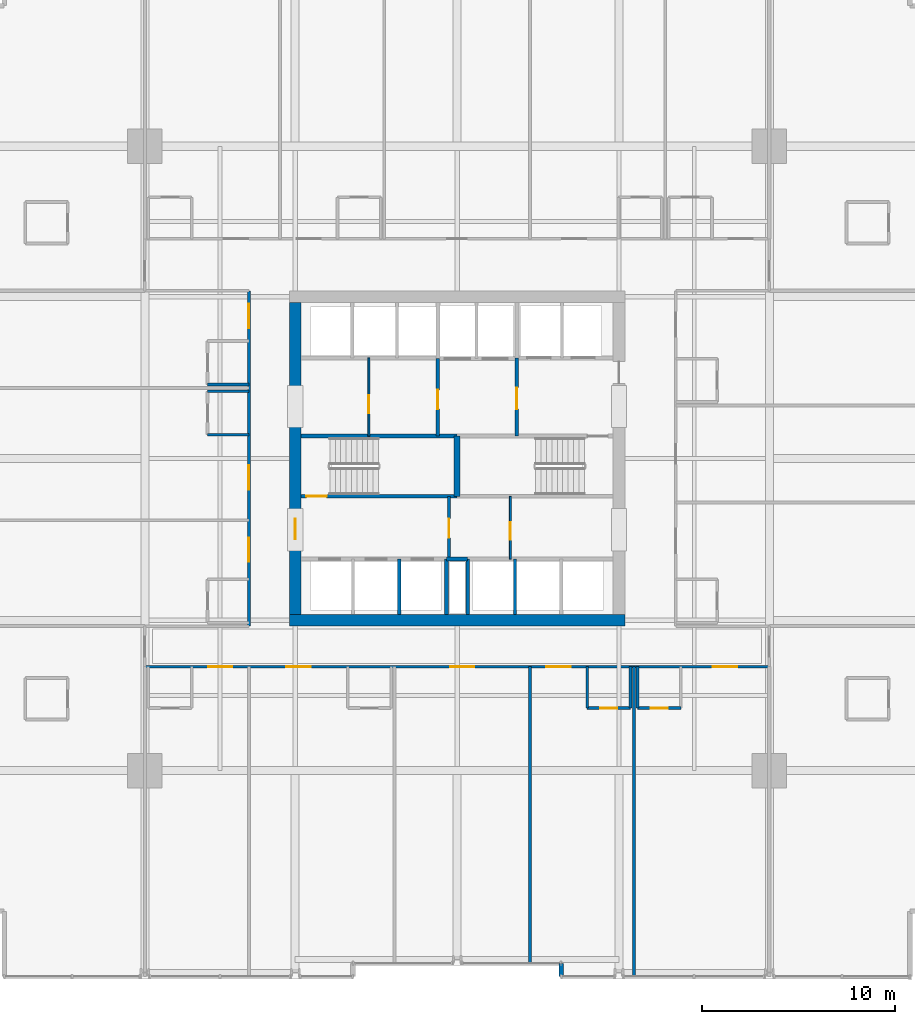
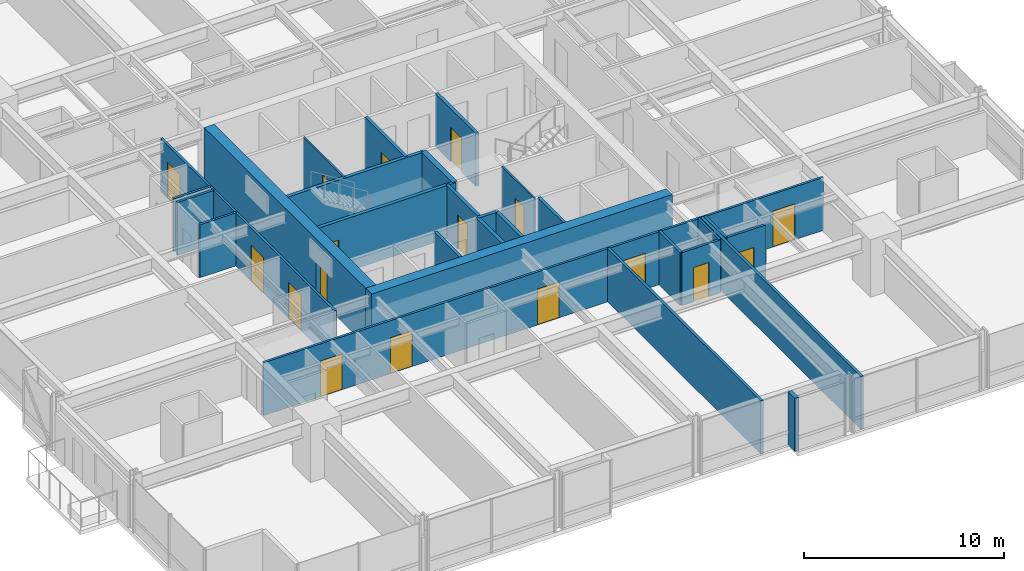
# One storey, part 31 of 39: 28 walls, 17 doors, 17 openings.
"""IFC4 building model written with IfcOpenShell, lengths in metres."""

from ifc_helpers import new_model, si_unit, direction, frame, frame_2d, origin, place, context, subcontext, project, spatial, rectangle, extrude, material, layer, layer_set, type_object, element, fill, save


model = new_model("IFC4")

# Units and contexts
model_context = context("Model", 3, precision=1e-05, world=origin(), true_north=direction((0.0, 1.0)))
body_context = subcontext(model_context, "Body", "Model", "MODEL_VIEW")
ifc_project = project(units=[si_unit("LENGTHUNIT", "METRE"), si_unit("AREAUNIT", "SQUARE_METRE"), si_unit("VOLUMEUNIT", "CUBIC_METRE"), si_unit("PLANEANGLEUNIT", "RADIAN"), si_unit("MASSUNIT", "GRAM", prefix="KILO")], contexts=[model_context])

# Site, building, storey
site_placement = place(None, origin())
site = spatial("IfcSite", under=ifc_project, at=site_placement, CompositionType="ELEMENT")
building_placement = place(site_placement, origin())
building = spatial("IfcBuilding", under=site, at=building_placement, Name="Drelvath Grand Hotel", CompositionType="ELEMENT")
storey_placement = place(building_placement, frame((0.0, 0.0, 54.199951171875)))
storey = spatial("IfcBuildingStorey", under=building, at=storey_placement, Name="L12", CompositionType="ELEMENT", Elevation=54.199951171875)

# Wall, opening, door
ifc_material_1 = material(Name="Gypsum Partition Board")
ifc_layer_1 = layer(ifc_material_1, 0.10009765625)
ifc_layer_set_1 = layer_set([ifc_layer_1], Name="Gypsum Partition Board")
wall_type_1 = type_object("IfcWallType", Name="Core Closet Partition 100", PredefinedType="PARTITIONING", material=ifc_layer_set_1)
wall_1_placement = place(storey_placement, frame((-4.580078125, 28.159912109375, 0.0), z_axis=(0.0, 0.0, 1.0), x_axis=(0.0, 1.0, 0.0)))
wall_1 = element("IfcWall", 1, at=wall_1_placement, inside=storey, type_object=wall_type_1, Name="L12 Core Closet Divider", PredefinedType="PARTITIONING", context=body_context, shape_type="SweptSolid", body=[
    extrude(rectangle(XDim=4.06005859375, YDim=0.10009765625, at=frame_2d((2.030029296875, 0.0))), origin(), (0.0, 0.0, 1.0), 3.239990234375),
])
opening_1_placement = place(wall_1_placement, frame((1.199951171875, 0.0, 0.0)))
opening_1 = element("IfcOpeningElement", 2, at=opening_1_placement, cuts=wall_1, Name="Opening D-T1G3-010", PredefinedType="OPENING", context=body_context, shape_type="SweptSolid", body=[
    extrude(rectangle(XDim=0.919921875, YDim=2.10009765625, at=frame_2d((0.4599609375, 1.050048828125))), frame((0.0, 0.06005859375, 0.0), z_axis=(0.0, -1.0, 0.0), x_axis=(1.0, 0.0, 0.0)), (0.0, 0.0, 1.0), 0.1201171875),
])
ifc_material_2 = material(Name="Painted Steel S275", Category="steel")
door_type_1 = type_object("IfcDoorType", Name="Staff Utility Door 920x2100", OperationType="NOTDEFINED", PredefinedType="DOOR", material=ifc_material_2)
door_1_placement = place(opening_1_placement, origin())
door_1 = element("IfcDoor", 3, at=door_1_placement, inside=storey, type_object=door_type_1, Name="L12 Electrical Closet Door", OperationType="SINGLE_SWING_RIGHT", OverallHeight=2.10009765625, OverallWidth=0.919921875, PredefinedType="DOOR", context=body_context, shape_type="SweptSolid", body=[
    extrude(rectangle(XDim=0.919921875, YDim=2.10009765625, at=frame_2d((0.4599609375, 1.050048828125))), frame((0.0, 0.02490234375, 0.0), z_axis=(0.0, -1.0, 0.0), x_axis=(1.0, 0.0, 0.0)), (0.0, 0.0, 1.0), 0.050048828125),
])
fill(opening_1, door_1)

wall_2_placement = place(storey_placement, frame((2.760009765625, 21.780029296875, 0.0), z_axis=(0.0, 0.0, 1.0), x_axis=(0.0, 1.0, 0.0)))
wall_2 = element("IfcWall", 4, at=wall_2_placement, inside=storey, type_object=wall_type_1, Name="L12 Butler Pantry Wall", PredefinedType="PARTITIONING", context=body_context, shape_type="SweptSolid", body=[
    extrude(rectangle(XDim=3.260009765625, YDim=0.10009765625, at=frame_2d((1.6298828125, 0.0))), origin(), (0.0, 0.0, 1.0), 3.239990234375),
])
opening_2_placement = place(wall_2_placement, frame((1.0, 0.0, 0.0)))
opening_2 = element("IfcOpeningElement", 5, at=opening_2_placement, cuts=wall_2, Name="Opening D-T1G3-016", PredefinedType="OPENING", context=body_context, shape_type="SweptSolid", body=[
    extrude(rectangle(XDim=0.919921875, YDim=2.10009765625, at=frame_2d((0.4599609375, 1.050048828125))), frame((0.0, 0.06005859375, 0.0), z_axis=(0.0, -1.0, 0.0), x_axis=(1.0, 0.0, 0.0)), (0.0, 0.0, 1.0), 0.1201171875),
])
door_2_placement = place(opening_2_placement, origin())
door_2 = element("IfcDoor", 6, at=door_2_placement, inside=storey, type_object=door_type_1, Name="L12 Butler Pantry Door", OperationType="SINGLE_SWING_LEFT", OverallHeight=2.10009765625, OverallWidth=0.919921875, PredefinedType="DOOR", context=body_context, shape_type="SweptSolid", body=[
    extrude(rectangle(XDim=0.919921875, YDim=2.10009765625, at=frame_2d((0.4599609375, 1.050048828125))), frame((0.0, 0.02490234375, 0.0), z_axis=(0.0, -1.0, 0.0), x_axis=(1.0, 0.0, 0.0)), (0.0, 0.0, 1.0), 0.050048828125),
])
fill(opening_2, door_2)

# Walls
ifc_material_3 = material(Name="Concrete C40/50", Category="concrete")
ifc_layer_2 = layer(ifc_material_3, 0.199951171875)
ifc_layer_set_2 = layer_set([ifc_layer_2], Name="Concrete C40/50")
wall_type_2 = type_object("IfcWallType", Name="Core Hoistway Fire Wall 200", PredefinedType="SOLIDWALL", material=ifc_layer_set_2)
for number, where, z_axis, x_axis, name in (
    (7, (-0.550048828125, 18.89990234375, 0.0), (0.0, 0.0, 1.0), (0.0, 1.0, 0.0), "L12 Bank 1 East Wall"),
    (8, (0.550048828125, 18.89990234375, 0.0), (0.0, 0.0, 1.0), (0.0, 1.0, 0.0), "L12 Bank 2 West Wall"),
):
    element("IfcWall", number, at=place(storey_placement, frame(where, z_axis=z_axis, x_axis=x_axis)), inside=storey, type_object=wall_type_2, Name=name, PredefinedType="SOLIDWALL", context=body_context, shape_type="SweptSolid", body=[
        extrude(rectangle(XDim=2.880126953125, YDim=0.199951171875, at=frame_2d((1.43994140625, 0.0))), origin(), (0.0, 0.0, 1.0), 3.239990234375),
    ])
wall_3_placement = place(storey_placement, frame((-0.550048828125, 21.780029296875, 0.0), z_axis=(0.0, 0.0, 1.0), x_axis=(1.0, 0.0, 0.0)))
element("IfcWall", 9, at=wall_3_placement, inside=storey, type_object=wall_type_2, Name="L12 Core Riser Wall", PredefinedType="SOLIDWALL", context=body_context, shape_type="SweptSolid", body=[
    extrude(rectangle(XDim=1.10009765625, YDim=0.199951171875, at=frame_2d((0.550048828125, 0.0))), origin(), (0.0, 0.0, 1.0), 3.239990234375),
])

# Wall, opening, door
ifc_layer_3 = layer(ifc_material_3, 0.199951171875)
ifc_layer_set_3 = layer_set([ifc_layer_3], Name="Concrete C40/50")
wall_type_3 = type_object("IfcWallType", Name="Core Shaft Fire Wall 200", PredefinedType="SOLIDWALL", material=ifc_layer_set_3)
wall_4_placement = place(storey_placement, frame((-8.10009765625, 25.0400390625, 0.0), z_axis=(0.0, 0.0, 1.0), x_axis=(1.0, 0.0, 0.0)))
wall_4 = element("IfcWall", 10, at=wall_4_placement, inside=storey, type_object=wall_type_3, Name="L12 Stair ST-1 South Wall", PredefinedType="SOLIDWALL", context=body_context, shape_type="SweptSolid", body=[
    extrude(rectangle(XDim=8.10009765625, YDim=0.199951171875, at=frame_2d((4.050048828125, 0.0))), origin(), (0.0, 0.0, 1.0), 3.239990234375),
])
opening_3_placement = place(wall_4_placement, frame((0.280029296875, 0.0, 0.0)))
opening_3 = element("IfcOpeningElement", 11, at=opening_3_placement, cuts=wall_4, Name="Opening D-T1G3-001", PredefinedType="OPENING", context=body_context, shape_type="SweptSolid", body=[
    extrude(rectangle(XDim=1.050048828125, YDim=2.10009765625, at=frame_2d((0.52490234375, 1.050048828125))), frame((0.0, 0.10986328125, 0.0), z_axis=(0.0, -1.0, 0.0), x_axis=(1.0, 0.0, 0.0)), (0.0, 0.0, 1.0), 0.219970703125),
])
door_type_2 = type_object("IfcDoorType", Name="Tower Stairwell Fire Door 1050x2100", OperationType="NOTDEFINED", PredefinedType="DOOR", material=ifc_material_2)
door_3_placement = place(opening_3_placement, origin())
door_3 = element("IfcDoor", 12, at=door_3_placement, inside=storey, type_object=door_type_2, Name="L12 Exit Stair ST-1 Door", OperationType="SINGLE_SWING_LEFT", OverallHeight=2.10009765625, OverallWidth=1.050048828125, PredefinedType="DOOR", context=body_context, shape_type="SweptSolid", body=[
    extrude(rectangle(XDim=1.050048828125, YDim=2.10009765625, at=frame_2d((0.52490234375, 1.050048828125))), frame((0.0, 0.02490234375, 0.0), z_axis=(0.0, -1.0, 0.0), x_axis=(1.0, 0.0, 0.0)), (0.0, 0.0, 1.0), 0.050048828125),
])
fill(opening_3, door_3)

# Walls
wall_5_placement = place(storey_placement, frame((-8.10009765625, 28.159912109375, 0.0), z_axis=(0.0, 0.0, 1.0), x_axis=(1.0, 0.0, 0.0)))
element("IfcWall", 13, at=wall_5_placement, inside=storey, type_object=wall_type_3, Name="L12 Stair ST-1 North Wall", PredefinedType="SOLIDWALL", context=body_context, shape_type="SweptSolid", body=[
    extrude(rectangle(XDim=8.10009765625, YDim=0.199951171875, at=frame_2d((4.050048828125, 0.0))), origin(), (0.0, 0.0, 1.0), 3.239990234375),
])
ifc_layer_4 = layer(ifc_material_3, 0.300048828125)
ifc_layer_set_4 = layer_set([ifc_layer_4], Name="Concrete C40/50")
wall_type_4 = type_object("IfcWallType", Name="Core Shaft Fire Wall 300", PredefinedType="SOLIDWALL", material=ifc_layer_set_4)
wall_6_placement = place(storey_placement, frame((0.0, 25.0400390625, 0.0), z_axis=(0.0, 0.0, 1.0), x_axis=(0.0, 1.0, 0.0)))
element("IfcWall", 14, at=wall_6_placement, inside=storey, type_object=wall_type_4, Name="L12 Core Stair Divider Wall", PredefinedType="SOLIDWALL", context=body_context, shape_type="SweptSolid", body=[
    extrude(rectangle(XDim=3.119873046875, YDim=0.300048828125, at=frame_2d((1.56005859375, 0.0))), origin(), (0.0, 0.0, 1.0), 3.239990234375),
])
ifc_material_4 = material(Name="Gypsum Fireboard Partition")
ifc_layer_5 = layer(ifc_material_4, 0.1650390625)
ifc_layer_set_5 = layer_set([ifc_layer_5], Name="Gypsum Fireboard Partition")
wall_type_5 = type_object("IfcWallType", Name="Core Shaft Partition 165", PredefinedType="PARTITIONING", material=ifc_layer_set_5)
for number, where, z_axis, x_axis, name in (
    (15, (-3.0, 18.89990234375, 0.0), (0.0, 0.0, 1.0), (0.0, 1.0, 0.0), "L12 Lift PE-2/3 Divider"),
    (16, (3.0, 18.89990234375, 0.0), (0.0, 0.0, 1.0), (0.0, 1.0, 0.0), "L12 Lift PE-4/5 Divider"),
):
    element("IfcWall", number, at=place(storey_placement, frame(where, z_axis=z_axis, x_axis=x_axis)), inside=storey, type_object=wall_type_5, Name=name, PredefinedType="PARTITIONING", context=body_context, shape_type="SweptSolid", body=[
        extrude(rectangle(XDim=2.880126953125, YDim=0.1650390625, at=frame_2d((1.43994140625, 0.0))), origin(), (0.0, 0.0, 1.0), 3.239990234375),
    ])

# Wall, openings, doors
ifc_layer_6 = layer(ifc_material_4, 0.135009765625)
ifc_layer_set_6 = layer_set([ifc_layer_6], Name="Gypsum Fireboard Partition")
wall_type_6 = type_object("IfcWallType", Name="Corridor Fire Barrier Wall 135", PredefinedType="PARTITIONING", material=ifc_layer_set_6)
wall_7_placement = place(storey_placement, frame((-16.199951171875, 16.199951171875, 0.0), z_axis=(0.0, 0.0, 1.0), x_axis=(1.0, 0.0, 0.0)))
wall_7 = element("IfcWall", 17, at=wall_7_placement, inside=storey, type_object=wall_type_6, Name="L12 South Corridor Wall", PredefinedType="PARTITIONING", context=body_context, shape_type="SweptSolid", body=[
    extrude(rectangle(XDim=32.39990234375, YDim=0.135009765625, at=frame_2d((16.199951171875, 0.0))), origin(), (0.0, 0.0, 1.0), 3.239990234375),
])
opening_4_placement = place(wall_7_placement, frame((3.284912109375, 0.0, 0.0)))
opening_4 = element("IfcOpeningElement", 18, at=opening_4_placement, cuts=wall_7, Name="Opening D-T1G3-026", PredefinedType="OPENING", context=body_context, shape_type="SweptSolid", body=[
    extrude(rectangle(XDim=1.260009765625, YDim=2.199951171875, at=frame_2d((0.6298828125, 1.10009765625))), frame((0.0, 0.077392578125, 0.0), z_axis=(0.0, -1.0, 0.0), x_axis=(1.0, 0.0, 0.0)), (0.0, 0.0, 1.0), 0.155029296875),
])
opening_5_placement = place(wall_7_placement, frame((7.3349609375, 0.0, 0.0)))
opening_5 = element("IfcOpeningElement", 19, at=opening_5_placement, cuts=wall_7, Name="Opening D-T1G3-028", PredefinedType="OPENING", context=body_context, shape_type="SweptSolid", body=[
    extrude(rectangle(XDim=1.260009765625, YDim=2.199951171875, at=frame_2d((0.6298828125, 1.10009765625))), frame((0.0, 0.077392578125, 0.0), z_axis=(0.0, -1.0, 0.0), x_axis=(1.0, 0.0, 0.0)), (0.0, 0.0, 1.0), 0.155029296875),
])
opening_6_placement = place(wall_7_placement, frame((15.840087890625, 0.0, 0.0)))
opening_6 = element("IfcOpeningElement", 20, at=opening_6_placement, cuts=wall_7, Name="Opening D-T1G3-029", PredefinedType="OPENING", context=body_context, shape_type="SweptSolid", body=[
    extrude(rectangle(XDim=1.260009765625, YDim=2.199951171875, at=frame_2d((0.6298828125, 1.10009765625))), frame((0.0, 0.077392578125, 0.0), z_axis=(0.0, -1.0, 0.0), x_axis=(1.0, 0.0, 0.0)), (0.0, 0.0, 1.0), 0.155029296875),
])
opening_7_placement = place(wall_7_placement, frame((20.8349609375, 0.0, 0.0)))
opening_7 = element("IfcOpeningElement", 21, at=opening_7_placement, cuts=wall_7, Name="Opening D-T1G3-031", PredefinedType="OPENING", context=body_context, shape_type="SweptSolid", body=[
    extrude(rectangle(XDim=1.260009765625, YDim=2.199951171875, at=frame_2d((0.6298828125, 1.10009765625))), frame((0.0, 0.077392578125, 0.0), z_axis=(0.0, -1.0, 0.0), x_axis=(1.0, 0.0, 0.0)), (0.0, 0.0, 1.0), 0.155029296875),
])
opening_8_placement = place(wall_7_placement, frame((29.47509765625, 0.0, 0.0)))
opening_8 = element("IfcOpeningElement", 22, at=opening_8_placement, cuts=wall_7, Name="Opening D-T1G3-033", PredefinedType="OPENING", context=body_context, shape_type="SweptSolid", body=[
    extrude(rectangle(XDim=1.260009765625, YDim=2.199951171875, at=frame_2d((0.6298828125, 1.10009765625))), frame((0.0, 0.077392578125, 0.0), z_axis=(0.0, -1.0, 0.0), x_axis=(1.0, 0.0, 0.0)), (0.0, 0.0, 1.0), 0.155029296875),
])
ifc_material_5 = material(Name="Hardwood Walnut Timber", Category="wood")
door_type_3 = type_object("IfcDoorType", Name="Suite Entrance Fire Door 1260x2200", OperationType="NOTDEFINED", PredefinedType="DOOR", material=ifc_material_5)
door_4_placement = place(opening_4_placement, origin())
door_4 = element("IfcDoor", 23, at=door_4_placement, inside=storey, type_object=door_type_3, Name="L12 Corner Suite Entry Door", OperationType="SINGLE_SWING_LEFT", OverallHeight=2.199951171875, OverallWidth=1.260009765625, PredefinedType="DOOR", context=body_context, shape_type="SweptSolid", body=[
    extrude(rectangle(XDim=1.260009765625, YDim=2.199951171875, at=frame_2d((0.6298828125, 1.10009765625))), frame((0.0, 0.02490234375, 0.0), z_axis=(0.0, -1.0, 0.0), x_axis=(1.0, 0.0, 0.0)), (0.0, 0.0, 1.0), 0.050048828125),
])
fill(opening_4, door_4)
door_5_placement = place(opening_5_placement, origin())
door_5 = element("IfcDoor", 24, at=door_5_placement, inside=storey, type_object=door_type_3, Name="L12 Corner Suite Entry Door", OperationType="SINGLE_SWING_LEFT", OverallHeight=2.199951171875, OverallWidth=1.260009765625, PredefinedType="DOOR", context=body_context, shape_type="SweptSolid", body=[
    extrude(rectangle(XDim=1.260009765625, YDim=2.199951171875, at=frame_2d((0.6298828125, 1.10009765625))), frame((0.0, 0.02490234375, 0.0), z_axis=(0.0, -1.0, 0.0), x_axis=(1.0, 0.0, 0.0)), (0.0, 0.0, 1.0), 0.050048828125),
])
fill(opening_5, door_5)
door_6_placement = place(opening_6_placement, origin())
door_6 = element("IfcDoor", 25, at=door_6_placement, inside=storey, type_object=door_type_3, Name="L12 Boardroom Suite Entry Door", OperationType="SINGLE_SWING_RIGHT", OverallHeight=2.199951171875, OverallWidth=1.260009765625, PredefinedType="DOOR", context=body_context, shape_type="SweptSolid", body=[
    extrude(rectangle(XDim=1.260009765625, YDim=2.199951171875, at=frame_2d((0.6298828125, 1.10009765625))), frame((0.0, 0.02490234375, 0.0), z_axis=(0.0, -1.0, 0.0), x_axis=(1.0, 0.0, 0.0)), (0.0, 0.0, 1.0), 0.050048828125),
])
fill(opening_6, door_6)
door_7_placement = place(opening_7_placement, origin())
door_7 = element("IfcDoor", 26, at=door_7_placement, inside=storey, type_object=door_type_3, Name="L12 Corner Suite Entry Door", OperationType="SINGLE_SWING_RIGHT", OverallHeight=2.199951171875, OverallWidth=1.260009765625, PredefinedType="DOOR", context=body_context, shape_type="SweptSolid", body=[
    extrude(rectangle(XDim=1.260009765625, YDim=2.199951171875, at=frame_2d((0.6298828125, 1.10009765625))), frame((0.0, 0.02490234375, 0.0), z_axis=(0.0, -1.0, 0.0), x_axis=(1.0, 0.0, 0.0)), (0.0, 0.0, 1.0), 0.050048828125),
])
fill(opening_7, door_7)
door_8_placement = place(opening_8_placement, origin())
door_8 = element("IfcDoor", 27, at=door_8_placement, inside=storey, type_object=door_type_3, Name="L12 Corner Suite Entry Door", OperationType="SINGLE_SWING_RIGHT", OverallHeight=2.199951171875, OverallWidth=1.260009765625, PredefinedType="DOOR", context=body_context, shape_type="SweptSolid", body=[
    extrude(rectangle(XDim=1.260009765625, YDim=2.199951171875, at=frame_2d((0.6298828125, 1.10009765625))), frame((0.0, 0.02490234375, 0.0), z_axis=(0.0, -1.0, 0.0), x_axis=(1.0, 0.0, 0.0)), (0.0, 0.0, 1.0), 0.050048828125),
])
fill(opening_8, door_8)

wall_8_placement = place(storey_placement, frame((-10.800048828125, 18.300048828125, 0.0), z_axis=(0.0, 0.0, 1.0), x_axis=(0.0, 1.0, 0.0)))
wall_8 = element("IfcWall", 28, at=wall_8_placement, inside=storey, type_object=wall_type_6, Name="L12 West Corridor Wall", PredefinedType="PARTITIONING", context=body_context, shape_type="SweptSolid", body=[
    extrude(rectangle(XDim=17.39990234375, YDim=0.135009765625, at=frame_2d((8.699951171875, 0.0))), origin(), (0.0, 0.0, 1.0), 3.239990234375),
])
opening_9_placement = place(wall_8_placement, frame((3.332275390625, 0.0, 0.0)))
opening_9 = element("IfcOpeningElement", 29, at=opening_9_placement, cuts=wall_8, Name="Opening D-T1G3-044", PredefinedType="OPENING", context=body_context, shape_type="SweptSolid", body=[
    extrude(rectangle(XDim=1.260009765625, YDim=2.199951171875, at=frame_2d((0.6298828125, 1.10009765625))), frame((0.0, 0.077392578125, 0.0), z_axis=(0.0, -1.0, 0.0), x_axis=(1.0, 0.0, 0.0)), (0.0, 0.0, 1.0), 0.155029296875),
])
opening_10_placement = place(wall_8_placement, frame((7.083984375, 0.0, 0.0)))
opening_10 = element("IfcOpeningElement", 30, at=opening_10_placement, cuts=wall_8, Name="Opening D-T1G3-046", PredefinedType="OPENING", context=body_context, shape_type="SweptSolid", body=[
    extrude(rectangle(XDim=1.260009765625, YDim=2.199951171875, at=frame_2d((0.6298828125, 1.10009765625))), frame((0.0, 0.077392578125, 0.0), z_axis=(0.0, -1.0, 0.0), x_axis=(1.0, 0.0, 0.0)), (0.0, 0.0, 1.0), 0.155029296875),
])
opening_11_placement = place(wall_8_placement, frame((15.466552734375, 0.0, 0.0)))
opening_11 = element("IfcOpeningElement", 31, at=opening_11_placement, cuts=wall_8, Name="Opening D-T1G3-048", PredefinedType="OPENING", context=body_context, shape_type="SweptSolid", body=[
    extrude(rectangle(XDim=1.260009765625, YDim=2.199951171875, at=frame_2d((0.6298828125, 1.10009765625))), frame((0.0, 0.077392578125, 0.0), z_axis=(0.0, -1.0, 0.0), x_axis=(1.0, 0.0, 0.0)), (0.0, 0.0, 1.0), 0.155029296875),
])
door_9_placement = place(opening_9_placement, origin())
door_9 = element("IfcDoor", 32, at=door_9_placement, inside=storey, type_object=door_type_3, Name="L12 Corner Suite Entry Door", OperationType="SINGLE_SWING_LEFT", OverallHeight=2.199951171875, OverallWidth=1.260009765625, PredefinedType="DOOR", context=body_context, shape_type="SweptSolid", body=[
    extrude(rectangle(XDim=1.260009765625, YDim=2.199951171875, at=frame_2d((0.6298828125, 1.10009765625))), frame((0.0, 0.02490234375, 0.0), z_axis=(0.0, -1.0, 0.0), x_axis=(1.0, 0.0, 0.0)), (0.0, 0.0, 1.0), 0.050048828125),
])
fill(opening_9, door_9)
door_10_placement = place(opening_10_placement, origin())
door_10 = element("IfcDoor", 33, at=door_10_placement, inside=storey, type_object=door_type_3, Name="L12 Corner Suite Entry Door", OperationType="SINGLE_SWING_LEFT", OverallHeight=2.199951171875, OverallWidth=1.260009765625, PredefinedType="DOOR", context=body_context, shape_type="SweptSolid", body=[
    extrude(rectangle(XDim=1.260009765625, YDim=2.199951171875, at=frame_2d((0.6298828125, 1.10009765625))), frame((0.0, 0.02490234375, 0.0), z_axis=(0.0, -1.0, 0.0), x_axis=(1.0, 0.0, 0.0)), (0.0, 0.0, 1.0), 0.050048828125),
])
fill(opening_10, door_10)
door_11_placement = place(opening_11_placement, origin())
door_11 = element("IfcDoor", 34, at=door_11_placement, inside=storey, type_object=door_type_3, Name="L12 Corner Suite Entry Door", OperationType="SINGLE_SWING_LEFT", OverallHeight=2.199951171875, OverallWidth=1.260009765625, PredefinedType="DOOR", context=body_context, shape_type="SweptSolid", body=[
    extrude(rectangle(XDim=1.260009765625, YDim=2.199951171875, at=frame_2d((0.6298828125, 1.10009765625))), frame((0.0, 0.02490234375, 0.0), z_axis=(0.0, -1.0, 0.0), x_axis=(1.0, 0.0, 0.0)), (0.0, 0.0, 1.0), 0.050048828125),
])
fill(opening_11, door_11)

# Walls
ifc_material_6 = material(Name="Moisture-Resistant Gypsum Board")
ifc_layer_7 = layer(ifc_material_6, 0.139892578125)
ifc_layer_set_7 = layer_set([ifc_layer_7], Name="Moisture-Resistant Gypsum Board")
wall_type_7 = type_object("IfcWallType", Name="En-Suite Plumbing Wall 140", PredefinedType="PLUMBINGWALL", material=ifc_layer_set_7)
for number, where, z_axis, x_axis, name in (
    (35, (6.75, 16.199951171875, 0.0), (0.0, 0.0, 1.0), (0.0, -1.0, 0.0), "L12 En-Suite Left Wall"),
    (36, (9.0, 16.199951171875, 0.0), (0.0, 0.0, 1.0), (0.0, -1.0, 0.0), "L12 En-Suite Right Wall"),
):
    element("IfcWall", number, at=place(storey_placement, frame(where, z_axis=z_axis, x_axis=x_axis)), inside=storey, type_object=wall_type_7, Name=name, PredefinedType="PLUMBINGWALL", context=body_context, shape_type="SweptSolid", body=[
        extrude(rectangle(XDim=2.14990234375, YDim=0.139892578125, at=frame_2d((1.074951171875, 0.0))), origin(), (0.0, 0.0, 1.0), 3.239990234375),
    ])

# Wall, opening, door
wall_9_placement = place(storey_placement, frame((6.75, 14.050048828125, 0.0), z_axis=(0.0, 0.0, 1.0), x_axis=(1.0, 0.0, 0.0)))
wall_9 = element("IfcWall", 37, at=wall_9_placement, inside=storey, type_object=wall_type_7, Name="L12 En-Suite Front Wall", PredefinedType="PLUMBINGWALL", context=body_context, shape_type="SweptSolid", body=[
    extrude(rectangle(XDim=2.25, YDim=0.139892578125, at=frame_2d((1.125, 0.0))), origin(), (0.0, 0.0, 1.0), 3.239990234375),
])
opening_12_placement = place(wall_9_placement, frame((0.68505859375, 0.0, 0.0)))
opening_12 = element("IfcOpeningElement", 38, at=opening_12_placement, cuts=wall_9, Name="Opening D-T1G3-030", PredefinedType="OPENING", context=body_context, shape_type="SweptSolid", body=[
    extrude(rectangle(XDim=0.8798828125, YDim=2.10009765625, at=frame_2d((0.43994140625, 1.050048828125))), frame((0.0, 0.079833984375, 0.0), z_axis=(0.0, -1.0, 0.0), x_axis=(1.0, 0.0, 0.0)), (0.0, 0.0, 1.0), 0.159912109375),
])
door_type_4 = type_object("IfcDoorType", Name="En-Suite Bathroom Door 880x2100", OperationType="NOTDEFINED", PredefinedType="DOOR", material=ifc_material_5)
door_12_placement = place(opening_12_placement, origin())
door_12 = element("IfcDoor", 39, at=door_12_placement, inside=storey, type_object=door_type_4, Name="L12 En-Suite Bathroom Door", OperationType="SINGLE_SWING_LEFT", OverallHeight=2.10009765625, OverallWidth=0.8798828125, PredefinedType="DOOR", context=body_context, shape_type="SweptSolid", body=[
    extrude(rectangle(XDim=0.8798828125, YDim=2.10009765625, at=frame_2d((0.43994140625, 1.050048828125))), frame((0.0, 0.02490234375, 0.0), z_axis=(0.0, -1.0, 0.0), x_axis=(1.0, 0.0, 0.0)), (0.0, 0.0, 1.0), 0.050048828125),
])
fill(opening_12, door_12)

# Wall
wall_10_placement = place(storey_placement, frame((9.360107421875, 16.199951171875, 0.0), z_axis=(0.0, 0.0, 1.0), x_axis=(0.0, -1.0, 0.0)))
element("IfcWall", 40, at=wall_10_placement, inside=storey, type_object=wall_type_7, Name="L12 En-Suite Left Wall", PredefinedType="PLUMBINGWALL", context=body_context, shape_type="SweptSolid", body=[
    extrude(rectangle(XDim=2.14990234375, YDim=0.139892578125, at=frame_2d((1.074951171875, 0.0))), origin(), (0.0, 0.0, 1.0), 3.239990234375),
])

# Wall, opening, door
wall_11_placement = place(storey_placement, frame((9.360107421875, 14.050048828125, 0.0), z_axis=(0.0, 0.0, 1.0), x_axis=(1.0, 0.0, 0.0)))
wall_11 = element("IfcWall", 41, at=wall_11_placement, inside=storey, type_object=wall_type_7, Name="L12 En-Suite Front Wall", PredefinedType="PLUMBINGWALL", context=body_context, shape_type="SweptSolid", body=[
    extrude(rectangle(XDim=2.25, YDim=0.139892578125, at=frame_2d((1.125, 0.0))), origin(), (0.0, 0.0, 1.0), 3.239990234375),
])
opening_13_placement = place(wall_11_placement, frame((0.68505859375, 0.0, 0.0)))
opening_13 = element("IfcOpeningElement", 42, at=opening_13_placement, cuts=wall_11, Name="Opening D-T1G3-032", PredefinedType="OPENING", context=body_context, shape_type="SweptSolid", body=[
    extrude(rectangle(XDim=0.8798828125, YDim=2.10009765625, at=frame_2d((0.43994140625, 1.050048828125))), frame((0.0, 0.079833984375, 0.0), z_axis=(0.0, -1.0, 0.0), x_axis=(1.0, 0.0, 0.0)), (0.0, 0.0, 1.0), 0.159912109375),
])
door_13_placement = place(opening_13_placement, origin())
door_13 = element("IfcDoor", 43, at=door_13_placement, inside=storey, type_object=door_type_4, Name="L12 En-Suite Bathroom Door", OperationType="SINGLE_SWING_LEFT", OverallHeight=2.10009765625, OverallWidth=0.8798828125, PredefinedType="DOOR", context=body_context, shape_type="SweptSolid", body=[
    extrude(rectangle(XDim=0.8798828125, YDim=2.10009765625, at=frame_2d((0.43994140625, 1.050048828125))), frame((0.0, 0.02490234375, 0.0), z_axis=(0.0, -1.0, 0.0), x_axis=(1.0, 0.0, 0.0)), (0.0, 0.0, 1.0), 0.050048828125),
])
fill(opening_13, door_13)

# Walls
for number, where, z_axis, x_axis, name in (
    (44, (-10.800048828125, 28.233154296875, 0.0), (0.0, 0.0, 1.0), (-1.0, 0.0, 0.0), "L12 En-Suite Left Wall"),
    (45, (-10.800048828125, 30.483154296875, 0.0), (0.0, 0.0, 1.0), (-1.0, 0.0, 0.0), "L12 En-Suite Right Wall"),
    (46, (-10.800048828125, 30.84326171875, 0.0), (0.0, 0.0, 1.0), (-1.0, 0.0, 0.0), "L12 En-Suite Left Wall"),
):
    element("IfcWall", number, at=place(storey_placement, frame(where, z_axis=z_axis, x_axis=x_axis)), inside=storey, type_object=wall_type_7, Name=name, PredefinedType="PLUMBINGWALL", context=body_context, shape_type="SweptSolid", body=[
        extrude(rectangle(XDim=2.14990234375, YDim=0.139892578125, at=frame_2d((1.074951171875, 0.0))), origin(), (0.0, 0.0, 1.0), 3.239990234375),
    ])

# Wall, opening, door
ifc_layer_8 = layer(ifc_material_4, 0.179931640625)
ifc_layer_set_8 = layer_set([ifc_layer_8], Name="Gypsum Fireboard Partition")
wall_type_8 = type_object("IfcWallType", Name="FSAE Smoke Lobby Fire Wall 180", PredefinedType="SOLIDWALL", material=ifc_layer_set_8)
wall_12_placement = place(storey_placement, frame((3.10009765625, 28.159912109375, 0.0), z_axis=(0.0, 0.0, 1.0), x_axis=(0.0, 1.0, 0.0)))
wall_12 = element("IfcWall", 47, at=wall_12_placement, inside=storey, type_object=wall_type_8, Name="L12 FSAE Smoke Lobby West Wall", PredefinedType="SOLIDWALL", context=body_context, shape_type="SweptSolid", body=[
    extrude(rectangle(XDim=4.06005859375, YDim=0.179931640625, at=frame_2d((2.030029296875, 0.0))), origin(), (0.0, 0.0, 1.0), 3.239990234375),
])
opening_14_placement = place(wall_12_placement, frame((1.39990234375, 0.0, 0.0)))
opening_14 = element("IfcOpeningElement", 48, at=opening_14_placement, cuts=wall_12, Name="Opening D-T1G3-005", PredefinedType="OPENING", context=body_context, shape_type="SweptSolid", body=[
    extrude(rectangle(XDim=1.1201171875, YDim=2.10009765625, at=frame_2d((0.56005859375, 1.050048828125))), frame((0.0, 0.099853515625, 0.0), z_axis=(0.0, -1.0, 0.0), x_axis=(1.0, 0.0, 0.0)), (0.0, 0.0, 1.0), 0.199951171875),
])
door_type_5 = type_object("IfcDoorType", Name="FSAE Smoke Lobby Fire Door 1120x2100", OperationType="NOTDEFINED", PredefinedType="DOOR", material=ifc_material_2)
door_14_placement = place(opening_14_placement, origin())
door_14 = element("IfcDoor", 49, at=door_14_placement, inside=storey, type_object=door_type_5, Name="L12 FSAE Lobby Service Vestibule Door", OperationType="SINGLE_SWING_RIGHT", OverallHeight=2.10009765625, OverallWidth=1.1201171875, PredefinedType="DOOR", context=body_context, shape_type="SweptSolid", body=[
    extrude(rectangle(XDim=1.1201171875, YDim=2.10009765625, at=frame_2d((0.56005859375, 1.050048828125))), frame((0.0, 0.02490234375, 0.0), z_axis=(0.0, -1.0, 0.0), x_axis=(1.0, 0.0, 0.0)), (0.0, 0.0, 1.0), 0.050048828125),
])
fill(opening_14, door_14)

wall_13_placement = place(storey_placement, frame((-1.0, 28.159912109375, 0.0), z_axis=(0.0, 0.0, 1.0), x_axis=(0.0, 1.0, 0.0)))
wall_13 = element("IfcWall", 50, at=wall_13_placement, inside=storey, type_object=wall_type_8, Name="L12 Service Vestibule West Wall", PredefinedType="SOLIDWALL", context=body_context, shape_type="SweptSolid", body=[
    extrude(rectangle(XDim=4.02001953125, YDim=0.179931640625, at=frame_2d((2.010009765625, 0.0))), origin(), (0.0, 0.0, 1.0), 3.239990234375),
])
opening_15_placement = place(wall_13_placement, frame((1.39990234375, 0.0, 0.0)))
opening_15 = element("IfcOpeningElement", 51, at=opening_15_placement, cuts=wall_13, Name="Opening D-T1G3-009", PredefinedType="OPENING", context=body_context, shape_type="SweptSolid", body=[
    extrude(rectangle(XDim=1.0, YDim=2.10009765625, at=frame_2d((0.5, 1.050048828125))), frame((0.0, 0.099853515625, 0.0), z_axis=(0.0, -1.0, 0.0), x_axis=(1.0, 0.0, 0.0)), (0.0, 0.0, 1.0), 0.199951171875),
])
door_type_6 = type_object("IfcDoorType", Name="Core Service Fire Door 1000x2100", OperationType="NOTDEFINED", PredefinedType="DOOR", material=ifc_material_2)
door_15_placement = place(opening_15_placement, origin())
door_15 = element("IfcDoor", 52, at=door_15_placement, inside=storey, type_object=door_type_6, Name="L12 Service Vestibule West Door", OperationType="SINGLE_SWING_LEFT", OverallHeight=2.10009765625, OverallWidth=1.0, PredefinedType="DOOR", context=body_context, shape_type="SweptSolid", body=[
    extrude(rectangle(XDim=1.0, YDim=2.10009765625, at=frame_2d((0.5, 1.050048828125))), frame((0.0, 0.02490234375, 0.0), z_axis=(0.0, -1.0, 0.0), x_axis=(1.0, 0.0, 0.0)), (0.0, 0.0, 1.0), 0.050048828125),
])
fill(opening_15, door_15)

wall_14_placement = place(storey_placement, frame((-0.419921875, 21.780029296875, 0.0), z_axis=(0.0, 0.0, 1.0), x_axis=(0.0, 1.0, 0.0)))
wall_14 = element("IfcWall", 53, at=wall_14_placement, inside=storey, type_object=wall_type_8, Name="L12 Low-Rise Lobby East Wall", PredefinedType="SOLIDWALL", context=body_context, shape_type="SweptSolid", body=[
    extrude(rectangle(XDim=3.260009765625, YDim=0.179931640625, at=frame_2d((1.6298828125, 0.0))), origin(), (0.0, 0.0, 1.0), 3.239990234375),
])
opening_16_placement = place(wall_14_placement, frame((1.10009765625, 0.0, 0.0)))
opening_16 = element("IfcOpeningElement", 54, at=opening_16_placement, cuts=wall_14, Name="Opening D-T1G3-014", PredefinedType="OPENING", context=body_context, shape_type="SweptSolid", body=[
    extrude(rectangle(XDim=1.0, YDim=2.10009765625, at=frame_2d((0.5, 1.050048828125))), frame((0.0, 0.099853515625, 0.0), z_axis=(0.0, -1.0, 0.0), x_axis=(1.0, 0.0, 0.0)), (0.0, 0.0, 1.0), 0.199951171875),
])
door_16_placement = place(opening_16_placement, origin())
door_16 = element("IfcDoor", 55, at=door_16_placement, inside=storey, type_object=door_type_6, Name="L12 Housekeeping Entry Door", OperationType="SINGLE_SWING_LEFT", OverallHeight=2.10009765625, OverallWidth=1.0, PredefinedType="DOOR", context=body_context, shape_type="SweptSolid", body=[
    extrude(rectangle(XDim=1.0, YDim=2.10009765625, at=frame_2d((0.5, 1.050048828125))), frame((0.0, 0.02490234375, 0.0), z_axis=(0.0, -1.0, 0.0), x_axis=(1.0, 0.0, 0.0)), (0.0, 0.0, 1.0), 0.050048828125),
])
fill(opening_16, door_16)

# Walls
ifc_material_7 = material(Name="Gypsum Acoustic Partition")
ifc_layer_9 = layer(ifc_material_7, 0.14990234375)
ifc_layer_set_9 = layer_set([ifc_layer_9], Name="Gypsum Acoustic Partition")
wall_type_9 = type_object("IfcWallType", Name="Guestroom Demising Wall 150", PredefinedType="PARTITIONING", material=ifc_layer_set_9)
wall_15_placement = place(storey_placement, frame((3.780029296875, 0.800048828125, 0.0), z_axis=(0.0, 0.0, 1.0), x_axis=(0.0, 1.0, 0.0)))
element("IfcWall", 56, at=wall_15_placement, inside=storey, type_object=wall_type_9, Name="L12 South Demising 3", PredefinedType="PARTITIONING", context=body_context, shape_type="SweptSolid", body=[
    extrude(rectangle(XDim=15.39990234375, YDim=0.14990234375, at=frame_2d((7.699951171875, 0.0))), origin(), (0.0, 0.0, 1.0), 3.239990234375),
])
wall_16_placement = place(storey_placement, frame((9.179931640625, 0.1201171875, 0.0), z_axis=(0.0, 0.0, 1.0), x_axis=(0.0, 1.0, 0.0)))
element("IfcWall", 57, at=wall_16_placement, inside=storey, type_object=wall_type_9, Name="L12 South Demising 4", PredefinedType="PARTITIONING", context=body_context, shape_type="SweptSolid", body=[
    extrude(rectangle(XDim=16.079833984375, YDim=0.14990234375, at=frame_2d((8.0400390625, 0.0))), origin(), (0.0, 0.0, 1.0), 3.239990234375),
])
ifc_material_8 = material(Name="Concrete f'c 70 MPa", Category="concrete")
ifc_layer_10 = layer(ifc_material_8, 0.60009765625)
ifc_layer_set_10 = layer_set([ifc_layer_10], Name="Concrete f'c 70 MPa")
wall_type_10 = type_object("IfcWallType", Name="Lower Core RC Shear Wall 600", PredefinedType="SHEAR", material=ifc_layer_set_10)
wall_17_placement = place(storey_placement, frame((8.699951171875, 18.60009765625, 0.0), z_axis=(0.0, 0.0, 1.0), x_axis=(-1.0, 0.0, 0.0)))
element("IfcWall", 58, at=wall_17_placement, inside=storey, type_object=wall_type_10, Name="L12 Central Core Shear Wall S", PredefinedType="SHEAR", context=body_context, shape_type="SweptSolid", body=[
    extrude(rectangle(XDim=17.39990234375, YDim=0.60009765625, at=frame_2d((8.699951171875, 0.0))), origin(), (0.0, 0.0, 1.0), 3.5),
])

# Wall, opening, door
wall_18_placement = place(storey_placement, frame((-8.39990234375, 18.89990234375, 0.0), z_axis=(0.0, 0.0, 1.0), x_axis=(0.0, 1.0, 0.0)))
wall_18 = element("IfcWall", 59, at=wall_18_placement, inside=storey, type_object=wall_type_10, Name="L12 Central Core Shear Wall W", PredefinedType="SHEAR", context=body_context, shape_type="SweptSolid", body=[
    extrude(rectangle(XDim=16.2001953125, YDim=0.60009765625, at=frame_2d((8.10009765625, 0.0))), origin(), (0.0, 0.0, 1.0), 3.5),
])
opening_17_placement = place(wall_18_placement, frame((3.89990234375, 0.0, 0.0)))
opening_17 = element("IfcOpeningElement", 60, at=opening_17_placement, cuts=wall_18, Name="Opening D-T1G3-015", PredefinedType="OPENING", context=body_context, shape_type="SweptSolid", body=[
    extrude(rectangle(XDim=1.080078125, YDim=2.0400390625, at=frame_2d((0.5400390625, 1.02001953125))), frame((0.0, 0.31005859375, 0.0), z_axis=(0.0, -1.0, 0.0), x_axis=(1.0, 0.0, 0.0)), (0.0, 0.0, 1.0), 0.6201171875),
])
door_type_7 = type_object("IfcDoorType", Name="Core Corridor Fire Door 1080x2100", OperationType="NOTDEFINED", PredefinedType="DOOR", material=ifc_material_2)
door_17_placement = place(opening_17_placement, origin())
door_17 = element("IfcDoor", 61, at=door_17_placement, inside=storey, type_object=door_type_7, Name="L12 Low-Rise Lobby West Door", OperationType="SINGLE_SWING_RIGHT", OverallHeight=2.0400390625, OverallWidth=1.080078125, PredefinedType="DOOR", context=body_context, shape_type="SweptSolid", body=[
    extrude(rectangle(XDim=1.080078125, YDim=2.0400390625, at=frame_2d((0.5400390625, 1.02001953125))), frame((0.0, 0.02490234375, 0.0), z_axis=(0.0, -1.0, 0.0), x_axis=(1.0, 0.0, 0.0)), (0.0, 0.0, 1.0), 0.050048828125),
])
fill(opening_17, door_17)

# Wall
ifc_material_9 = material(Name="Pale-Metal Insulated Aluminium Spandrel Assembly", Category="aluminium")
ifc_layer_11 = layer(ifc_material_9, 0.239990234375)
ifc_layer_set_11 = layer_set([ifc_layer_11], Name="Pale-Metal Insulated Aluminium Spandrel Assembly")
wall_type_11 = type_object("IfcWallType", Name="Tower Insulated Metal Spandrel Closure Wall 240", PredefinedType="STANDARD", material=ifc_layer_set_11)
wall_19_placement = place(storey_placement, frame((5.39990234375, 0.1201171875, 0.0), z_axis=(0.0, 0.0, 1.0), x_axis=(0.0, 1.0, 0.0)))
element("IfcWall", 62, at=wall_19_placement, inside=storey, type_object=wall_type_11, Name="L12 Notched Corner Return Spandrel Wall RS1", PredefinedType="STANDARD", context=body_context, shape_type="SweptSolid", body=[
    extrude(rectangle(XDim=0.679931640625, YDim=0.239990234375, at=frame_2d((0.33984375, 0.0))), origin(), (0.0, 0.0, 1.0), 3.239990234375),
])

save(model, "model.ifc")
